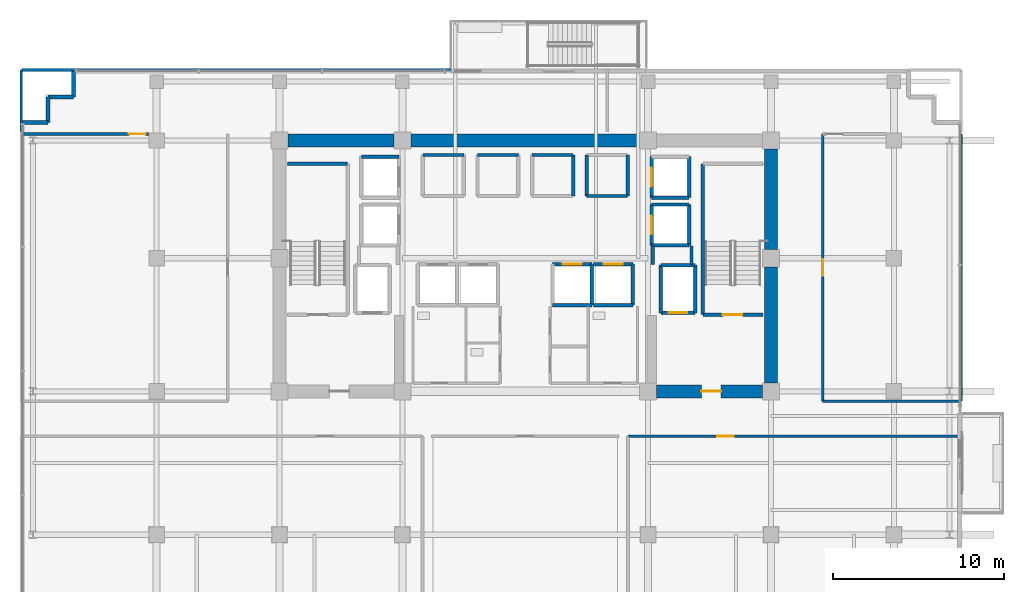
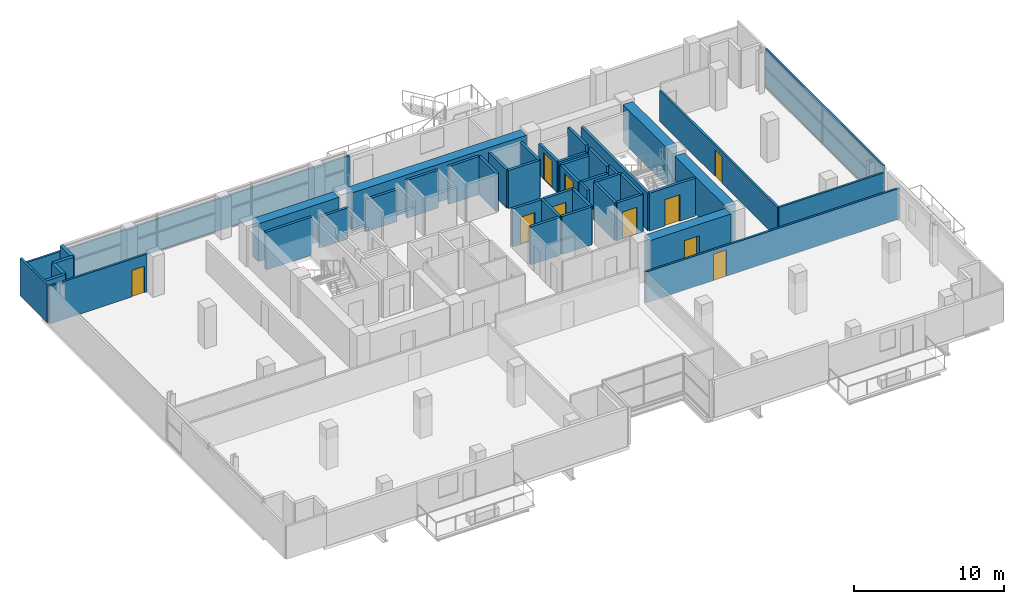
# One storey, part 21 of 27: 46 walls, 10 doors, 10 openings.
"""IFC4 building model written with IfcOpenShell, lengths in metres."""

import ifcopenshell
import ifcopenshell.guid

model = None  # the IFC model being written
_history = None  # IfcOwnerHistory: only IFC2X3 demands one
_inside = {}  # id of a spatial element -> (the spatial element, [elements in it])
_under = {}  # id of a project, library or spatial element -> (it, [spatial elements below it])
_declared = {}  # id of a project -> (the project, [libraries it declares])
_typed = {}  # id of a type object -> (the type object, [elements of that type])
_made_of = {}  # id of a material, layer set ... -> (it, [elements and type objects made of it])


def new_model(schema):
    """Start an empty IFC model of exactly this schema.

    Asked for "IFC4X3", IfcOpenShell would pick the latest addendum, in which some entities
    have other attributes; the version numbers below select the first issue.
    IFC2X3 requires an IfcOwnerHistory on every rooted entity: one is made here for all.
    """
    global model, _history
    if schema == "IFC4X3":
        model = ifcopenshell.file(schema_version=(4, 3, 0, 0))
    else:
        model = ifcopenshell.file(schema=schema)
    _inside.clear()
    _under.clear()
    _declared.clear()
    _typed.clear()
    _made_of.clear()
    _history = None
    if model.schema == "IFC2X3":
        org = make("IfcOrganization", Name="unknown")
        user = make(
            "IfcPersonAndOrganization",
            ThePerson=make("IfcPerson", FamilyName="unknown"),
            TheOrganization=org,
        )
        app = make(
            "IfcApplication",
            ApplicationDeveloper=org,
            Version="unknown",
            ApplicationFullName="unknown",
            ApplicationIdentifier="unknown",
        )
        _history = make(
            "IfcOwnerHistory",
            OwningUser=user,
            OwningApplication=app,
            ChangeAction="ADDED",
            CreationDate=0,
        )
    return model


def make(cls, **values):
    """One entity of the class cls with the attributes given. An attribute that is None is left unset."""
    return model.create_entity(
        cls, **{name: value for name, value in values.items() if value is not None}
    )


def rooted(cls, **values):
    """An entity with a GlobalId (a new one), such as an element, a storey or a relation."""
    return make(cls, GlobalId=ifcopenshell.guid.new(), OwnerHistory=_history, **values)


def si_unit(unit_type, name, prefix=None):
    """IfcSIUnit, for example si_unit("LENGTHUNIT", "METRE", prefix="MILLI")."""
    return make("IfcSIUnit", UnitType=unit_type, Prefix=prefix, Name=name)


def assignment(units):
    """IfcUnitAssignment: the units of a project."""
    return None if units is None else make("IfcUnitAssignment", Units=units)


def point(xyz):
    """IfcCartesianPoint."""
    return None if xyz is None else make("IfcCartesianPoint", Coordinates=xyz)


def direction(xyz):
    """IfcDirection."""
    return None if xyz is None else make("IfcDirection", DirectionRatios=xyz)


def frame(location, z_axis=None, x_axis=None):
    """IfcAxis2Placement3D, a coordinate frame: its origin and axes. An axis left out is left unset."""
    return make(
        "IfcAxis2Placement3D",
        Location=point(location),
        Axis=direction(z_axis),
        RefDirection=direction(x_axis),
    )


def frame_2d(location, x_axis=None):
    """IfcAxis2Placement2D, a coordinate frame in the plane: its origin and x axis."""
    return make(
        "IfcAxis2Placement2D", Location=point(location), RefDirection=direction(x_axis)
    )


def origin():
    """The frame at (0, 0, 0) with its axes left unset."""
    return frame((0.0, 0.0, 0.0))


def place(relative_to, where):
    """IfcLocalPlacement: puts the frame where relative to a parent placement (None: the world)."""
    return make(
        "IfcLocalPlacement", PlacementRelTo=relative_to, RelativePlacement=where
    )


def context(
    kind, dimensions, precision=None, world=None, true_north=None, identifier=None
):
    """IfcGeometricRepresentationContext, for example the 3D "Model" context."""
    return make(
        "IfcGeometricRepresentationContext",
        ContextIdentifier=identifier,
        ContextType=kind,
        CoordinateSpaceDimension=dimensions,
        Precision=precision,
        WorldCoordinateSystem=world,
        TrueNorth=true_north,
    )


def subcontext(parent, identifier, kind, view, scale=None):
    """IfcGeometricRepresentationSubContext, for example "Body" below "Model"."""
    return make(
        "IfcGeometricRepresentationSubContext",
        ContextIdentifier=identifier,
        ContextType=kind,
        ParentContext=parent,
        TargetScale=scale,
        TargetView=view,
    )


def project(units=None, contexts=None):
    """IfcProject with its units and contexts."""
    return rooted(
        "IfcProject",
        Name="project",
        RepresentationContexts=contexts,
        UnitsInContext=assignment(units),
    )


def spatial(cls, under=None, at=None, **own):
    """A site, building, storey or space (cls), placed at a placement, below another one or the project."""
    s = rooted(cls, ObjectPlacement=at, **own)
    if under is not None:
        _under.setdefault(under.id(), (under, []))[1].append(s)
    return s


def profile(cls, at=None, kind="AREA", **sizes):
    """A parametric profile (cls). Its sizes go by their IFC names, for example OverallWidth=200.0."""
    return make(cls, ProfileType=kind, Position=at, **sizes)


def rectangle(**sizes):
    """IfcRectangleProfileDef."""
    return profile("IfcRectangleProfileDef", **sizes)


def extrude(swept, where, along, depth):
    """IfcExtrudedAreaSolid: the profile swept, set in the frame where, extruded along a direction by depth."""
    return make(
        "IfcExtrudedAreaSolid",
        SweptArea=swept,
        Position=where,
        ExtrudedDirection=direction(along),
        Depth=depth,
    )


def shape(context_of_items, identifier, shape_type, items):
    """IfcShapeRepresentation: the items that make up one representation, for example the "Body"."""
    return make(
        "IfcShapeRepresentation",
        ContextOfItems=context_of_items,
        RepresentationIdentifier=identifier,
        RepresentationType=shape_type,
        Items=items,
    )


def source(mapping_origin, context_of_items, identifier, shape_type, items):
    """IfcRepresentationMap: a shape defined once, which mapped items show again and again."""
    return make(
        "IfcRepresentationMap",
        MappingOrigin=mapping_origin,
        MappedRepresentation=shape(context_of_items, identifier, shape_type, items),
    )


def transform(
    local_origin,
    x_axis=None,
    y_axis=None,
    z_axis=None,
    scale=None,
    scale2=None,
    scale3=None,
    uniform=True,
):
    """IfcCartesianTransformationOperator3D, or its non-uniform kind. x_axis, y_axis, z_axis: its Axis1, 2, 3."""
    if uniform:
        return make(
            "IfcCartesianTransformationOperator3D",
            Axis1=direction(x_axis),
            Axis2=direction(y_axis),
            LocalOrigin=point(local_origin),
            Scale=scale,
            Axis3=direction(z_axis),
        )
    return make(
        "IfcCartesianTransformationOperator3DnonUniform",
        Axis1=direction(x_axis),
        Axis2=direction(y_axis),
        LocalOrigin=point(local_origin),
        Scale=scale,
        Axis3=direction(z_axis),
        Scale2=scale2,
        Scale3=scale3,
    )


def mapped(mapping_source, mapping_target):
    """IfcMappedItem: shows the shape of a source again, moved by a transform."""
    return make(
        "IfcMappedItem", MappingSource=mapping_source, MappingTarget=mapping_target
    )


def material(Name=None, Category=None):
    """IfcMaterial."""
    return make("IfcMaterial", Name=Name, Category=Category)


def layer(
    of_material, thickness, ventilated=None, Name=None, Category=None, Priority=None
):
    """IfcMaterialLayer: one layer of a wall or slab, of a material (None: an air gap)."""
    return make(
        "IfcMaterialLayer",
        Material=of_material,
        LayerThickness=thickness,
        IsVentilated=ventilated,
        Name=Name,
        Category=Category,
        Priority=Priority,
    )


def layer_set(layers, Name=None):
    """IfcMaterialLayerSet."""
    return make("IfcMaterialLayerSet", MaterialLayers=layers, LayerSetName=Name)


def made_of(thing, what):
    """Note that an element or type object is made of a material, layer set ...; save() writes the relation."""
    if what is not None:
        _made_of.setdefault(what.id(), (what, []))[1].append(thing)
    return thing


def type_object(cls, material=None, **own):
    """A type object (cls), such as IfcWallType, which elements share."""
    return made_of(rooted(cls, **own), material)


def element(
    cls,
    number,
    at=None,
    inside=None,
    cuts=None,
    type_object=None,
    material=None,
    context=None,
    identifier="Body",
    shape_type=None,
    held_by="IfcProductDefinitionShape",
    body=None,
    shapes=None,
    **own,
):
    """One element of the class cls, such as IfcWall. Its Tag is "e" and its number.

    at: its placement. inside: the storey or other place that contains it. cuts: it is an
    opening in that element (IfcRelVoidsElement). A single representation is given by context,
    identifier, shape_type and body (its items); several are given by shapes. held_by: the class
    of the entity that holds the representations. save() writes the other relations.
    """
    e = rooted(cls, Tag="e%d" % number, ObjectPlacement=at, **own)
    if body is not None:
        shapes = [shape(context, identifier, shape_type, body)]
    if shapes is not None:
        e.Representation = make(held_by, Representations=shapes)
    if inside is not None:
        _inside.setdefault(inside.id(), (inside, []))[1].append(e)
    if cuts is not None:
        rooted(
            "IfcRelVoidsElement", RelatingBuildingElement=cuts, RelatedOpeningElement=e
        )
    if type_object is not None:
        _typed.setdefault(type_object.id(), (type_object, []))[1].append(e)
    return made_of(e, material)


def fill(opening, filler):
    """IfcRelFillsElement: the door or window that sits in an opening."""
    return rooted(
        "IfcRelFillsElement",
        RelatingOpeningElement=opening,
        RelatedBuildingElement=filler,
    )


def aggregate(whole, parts):
    """IfcRelAggregates: a whole, such as a stair, and the parts it consists of."""
    return rooted("IfcRelAggregates", RelatingObject=whole, RelatedObjects=parts)


def save(model, path):
    """Write the relations noted so far, then the file.

    IfcRelAggregates (storeys below a building ...), IfcRelContainedInSpatialStructure (elements
    in a storey), IfcRelDefinesByType, IfcRelAssociatesMaterial and IfcRelDeclares: one each for
    every whole, place, type object, material and project.
    """
    for whole, parts in _under.values():
        aggregate(whole, parts)
    for where, things in _inside.values():
        rooted(
            "IfcRelContainedInSpatialStructure",
            RelatedElements=things,
            RelatingStructure=where,
        )
    for kind, things in _typed.values():
        rooted("IfcRelDefinesByType", RelatedObjects=things, RelatingType=kind)
    for what, things in _made_of.values():
        rooted("IfcRelAssociatesMaterial", RelatedObjects=things, RelatingMaterial=what)
    for by, libraries in _declared.values():
        rooted("IfcRelDeclares", RelatingContext=by, RelatedDefinitions=libraries)
    model.write(path)


model = new_model("IFC4")

# Units and contexts
model_context = context("Model", 3, precision=1e-05, world=origin(), true_north=direction((0.0, 1.0)))
body_context = subcontext(model_context, "Body", "Model", "MODEL_VIEW")
ifc_project = project(units=[si_unit("LENGTHUNIT", "METRE"), si_unit("AREAUNIT", "SQUARE_METRE"), si_unit("VOLUMEUNIT", "CUBIC_METRE"), si_unit("PLANEANGLEUNIT", "RADIAN"), si_unit("MASSUNIT", "GRAM", prefix="KILO")], contexts=[model_context])

# Site, building, storey
site_placement = place(None, origin())
site = spatial("IfcSite", under=ifc_project, at=site_placement, CompositionType="ELEMENT")
building_placement = place(site_placement, origin())
building = spatial("IfcBuilding", under=site, at=building_placement, Name="Zarnakvel Exchange Tower", CompositionType="ELEMENT")
storey_placement = place(building_placement, frame((0.0, 0.0, 86.800048828125)))
storey = spatial("IfcBuildingStorey", under=building, at=storey_placement, Name="L23", CompositionType="ELEMENT", Elevation=86.800048828125)

# Walls
ifc_material_1 = material(Name="Concrete C60/75", Category="concrete")
ifc_layer_1 = layer(ifc_material_1, 0.75)
ifc_layer_set_1 = layer_set([ifc_layer_1], Name="Concrete C60/75")
wall_type_1 = type_object("IfcWallType", Name="CW-C3", PredefinedType="SHEAR", material=ifc_layer_set_1)
wall_1_placement = place(storey_placement, frame((-13.89990234375, 13.5, 0.0), z_axis=(0.0, 0.0, 1.0), x_axis=(1.0, 0.0, 0.0)))
element("IfcWall", 1, at=wall_1_placement, inside=storey, type_object=wall_type_1, Name="L23 Rear Core Shear Wall N1 (CW-C3)", PredefinedType="SHEAR", context=body_context, shape_type="SweptSolid", body=[
    extrude(rectangle(XDim=6.199951171875, YDim=0.75, at=frame_2d((3.10009765625, 0.0))), origin(), (0.0, 0.0, 1.0), 3.074951171875),
])
wall_2_placement = place(storey_placement, frame((-6.699951171875, 13.5, 0.0), z_axis=(0.0, 0.0, 1.0), x_axis=(1.0, 0.0, 0.0)))
element("IfcWall", 2, at=wall_2_placement, inside=storey, type_object=wall_type_1, Name="L23 Rear Core Shear Wall N2 (CW-C3)", PredefinedType="SHEAR", context=body_context, shape_type="SweptSolid", body=[
    extrude(rectangle(XDim=13.39990234375, YDim=0.75, at=frame_2d((6.699951171875, 0.0))), origin(), (0.0, 0.0, 1.0), 3.074951171875),
])
wall_3_placement = place(storey_placement, frame((14.39990234375, -0.699951171875, 0.0), z_axis=(0.0, 0.0, 1.0), x_axis=(0.0, 1.0, 0.0)))
element("IfcWall", 3, at=wall_3_placement, inside=storey, type_object=wall_type_1, Name="L23 Rear Core Shear Wall E1 (CW-C3)", PredefinedType="SHEAR", context=body_context, shape_type="SweptSolid", body=[
    extrude(rectangle(XDim=6.800048828125, YDim=0.75, at=frame_2d((3.39990234375, 0.0))), origin(), (0.0, 0.0, 1.0), 3.074951171875),
])
wall_4_placement = place(storey_placement, frame((14.39990234375, 7.10009765625, 0.0), z_axis=(0.0, 0.0, 1.0), x_axis=(0.0, 1.0, 0.0)))
element("IfcWall", 4, at=wall_4_placement, inside=storey, type_object=wall_type_1, Name="L23 Rear Core Shear Wall E2 (CW-C3)", PredefinedType="SHEAR", context=body_context, shape_type="SweptSolid", body=[
    extrude(rectangle(XDim=5.89990234375, YDim=0.75, at=frame_2d((2.949951171875, 0.0))), origin(), (0.0, 0.0, 1.0), 3.074951171875),
])

# Wall, opening, door
wall_5_placement = place(storey_placement, frame((13.89990234375, -1.199951171875, 0.0), z_axis=(0.0, 0.0, 1.0), x_axis=(-1.0, 0.0, 0.0)))
wall_5 = element("IfcWall", 5, at=wall_5_placement, inside=storey, type_object=wall_type_1, Name="L23 Rear Core Shear Wall SE (CW-C3)", PredefinedType="SHEAR", context=body_context, shape_type="SweptSolid", body=[
    extrude(rectangle(XDim=6.199951171875, YDim=0.75, at=frame_2d((3.10009765625, 0.0))), origin(), (0.0, 0.0, 1.0), 3.074951171875),
])
opening_1_placement = place(wall_5_placement, frame((2.425048828125, 0.0, 0.0)))
opening_1 = element("IfcOpeningElement", 6, at=opening_1_placement, cuts=wall_5, Name="Opening D-L23-04", PredefinedType="OPENING", context=body_context, shape_type="SweptSolid", body=[
    extrude(rectangle(XDim=1.14990234375, YDim=2.14990234375, at=frame_2d((0.574951171875, 1.074951171875))), frame((0.0, 0.385009765625, 0.0), z_axis=(0.0, -1.0, 0.0), x_axis=(1.0, 0.0, 0.0)), (0.0, 0.0, 1.0), 0.77001953125),
])
ifc_material_2 = material(Name="Painted Galvanised Steel S355", Category="steel")
door_type_1 = type_object("IfcDoorType", Name="DT-04", OperationType="NOTDEFINED", PredefinedType="DOOR", material=ifc_material_2)
shared_shape_1 = source(origin(), body_context, "Body", "SweptSolid", [
    extrude(rectangle(XDim=1.14990234375, YDim=2.14990234375, at=frame_2d((0.574951171875, 1.074951171875))), frame((0.0, 0.02490234375, 0.0), z_axis=(0.0, -1.0, 0.0), x_axis=(1.0, 0.0, 0.0)), (0.0, 0.0, 1.0), 0.050048828125),
])
door_1_placement = place(opening_1_placement, origin())
door_1 = element("IfcDoor", 7, at=door_1_placement, inside=storey, type_object=door_type_1, Name="L23 Firefighting Lobby East Door D-L23-04", OperationType="SINGLE_SWING_LEFT", OverallHeight=2.14990234375, OverallWidth=1.14990234375, PredefinedType="DOOR", context=body_context, shape_type="MappedRepresentation", body=[
    mapped(shared_shape_1, transform((0.0, 0.0, 0.0), x_axis=(1.0, 0.0, 0.0), y_axis=(0.0, 1.0, 0.0), z_axis=(0.0, 0.0, 1.0), scale=1.0)),
])
fill(opening_1, door_1)

# Walls
ifc_material_3 = material(Name="Precast concrete C40/50", Category="concrete")
ifc_layer_2 = layer(ifc_material_3, 0.239990234375)
ifc_layer_set_2 = layer_set([ifc_layer_2], Name="Precast concrete C40/50")
wall_type_2 = type_object("IfcWallType", Name="EW-02", PredefinedType="SOLIDWALL", material=ifc_layer_set_2)
for number, where, z_axis, x_axis, name in (
    (8, (-27.9599609375, 14.56005859375, 0.0), (0.0, 0.0, 1.0), (-1.0, 0.0, 0.0), "L23 Exterior Precast Spandrel Wall EWC-L23-01 (EW-02)"),
    (9, (-27.9599609375, 16.06005859375, 0.0), (0.0, 0.0, 1.0), (0.0, -1.0, 0.0), "L23 Exterior Precast Spandrel Wall EWC-L23-02 (EW-02)"),
    (10, (-26.4599609375, 16.06005859375, 0.0), (0.0, 0.0, 1.0), (-1.0, 0.0, 0.0), "L23 Exterior Precast Spandrel Wall EWC-L23-03 (EW-02)"),
    (11, (-26.4599609375, 17.56005859375, 0.0), (0.0, 0.0, 1.0), (0.0, -1.0, 0.0), "L23 Exterior Precast Spandrel Wall EWC-L23-04 (EW-02)"),
):
    element("IfcWall", number, at=place(storey_placement, frame(where, z_axis=z_axis, x_axis=x_axis)), inside=storey, type_object=wall_type_2, Name=name, PredefinedType="SOLIDWALL", context=body_context, shape_type="SweptSolid", body=[
        extrude(rectangle(XDim=1.5, YDim=0.239990234375, at=frame_2d((0.75, 0.0))), origin(), (0.0, 0.0, 1.0), 3.074951171875),
    ])

# Wall, opening, door
ifc_material_4 = material(Name="Fire-Rated Gypsum Stud Partition", Category="gypsum")
ifc_layer_3 = layer(ifc_material_4, 0.14990234375)
ifc_layer_set_3 = layer_set([ifc_layer_3], Name="Fire-Rated Gypsum Stud Partition")
wall_type_3 = type_object("IfcWallType", Name="PT-01", PredefinedType="PARTITIONING", material=ifc_layer_set_3)
wall_6_placement = place(storey_placement, frame((6.02001953125, -3.830078125, 0.0), z_axis=(0.0, 0.0, 1.0), x_axis=(1.0, 0.0, 0.0)))
wall_6 = element("IfcWall", 12, at=wall_6_placement, inside=storey, type_object=wall_type_3, Name="L23 Partition Wall PWALL-L23-031 (PT-01)", PredefinedType="PARTITIONING", context=body_context, shape_type="SweptSolid", body=[
    extrude(rectangle(XDim=19.510009765625, YDim=0.14990234375, at=frame_2d((9.7548828125, 0.0))), origin(), (0.0, 0.0, 1.0), 2.514892578125),
])
opening_2_placement = place(wall_6_placement, frame((5.215087890625, 0.0, 0.0)))
opening_2 = element("IfcOpeningElement", 13, at=opening_2_placement, cuts=wall_6, Name="Opening D-L23-12", PredefinedType="OPENING", context=body_context, shape_type="SweptSolid", body=[
    extrude(rectangle(XDim=0.97998046875, YDim=2.14990234375, at=frame_2d((0.489990234375, 1.074951171875))), frame((0.0, 0.0849609375, 0.0), z_axis=(0.0, -1.0, 0.0), x_axis=(1.0, 0.0, 0.0)), (0.0, 0.0, 1.0), 0.169921875),
])
ifc_material_5 = material(Name="Timber Acoustic Veneer", Category="wood")
door_type_2 = type_object("IfcDoorType", Name="DT-05", OperationType="NOTDEFINED", PredefinedType="DOOR", material=ifc_material_5)
shared_shape_2 = source(origin(), body_context, "Body", "SweptSolid", [
    extrude(rectangle(XDim=0.97998046875, YDim=2.14990234375, at=frame_2d((0.489990234375, 1.074951171875))), frame((0.0, 0.02490234375, 0.0), z_axis=(0.0, -1.0, 0.0), x_axis=(1.0, 0.0, 0.0)), (0.0, 0.0, 1.0), 0.050048828125),
])
door_2_placement = place(opening_2_placement, origin())
door_2 = element("IfcDoor", 14, at=door_2_placement, inside=storey, type_object=door_type_2, Name="L23 Executive Conference Room Door D-L23-12", OperationType="SINGLE_SWING_LEFT", OverallHeight=2.14990234375, OverallWidth=0.97998046875, PredefinedType="DOOR", context=body_context, shape_type="MappedRepresentation", body=[
    mapped(shared_shape_2, transform((0.0, 0.0, 0.0), x_axis=(1.0, 0.0, 0.0), y_axis=(0.0, 1.0, 0.0), z_axis=(0.0, 0.0, 1.0), scale=1.0)),
])
fill(opening_2, door_2)

wall_7_placement = place(storey_placement, frame((-29.530029296875, 13.8798828125, 0.0), z_axis=(0.0, 0.0, 1.0), x_axis=(1.0, 0.0, 0.0)))
wall_7 = element("IfcWall", 15, at=wall_7_placement, inside=storey, type_object=wall_type_3, Name="L23 Partition Wall PWALL-L23-037 (PT-01)", PredefinedType="PARTITIONING", context=body_context, shape_type="SweptSolid", body=[
    extrude(rectangle(XDim=7.4599609375, YDim=0.14990234375, at=frame_2d((3.72998046875, 0.0))), origin(), (0.0, 0.0, 1.0), 3.074951171875),
])
opening_3_placement = place(wall_7_placement, frame((6.300048828125, 0.0, 0.0)))
opening_3 = element("IfcOpeningElement", 16, at=opening_3_placement, cuts=wall_7, Name="Opening D-L23-16", PredefinedType="OPENING", context=body_context, shape_type="SweptSolid", body=[
    extrude(rectangle(XDim=0.97998046875, YDim=2.14990234375, at=frame_2d((0.489990234375, 1.074951171875))), frame((0.0, 0.0849609375, 0.0), z_axis=(0.0, -1.0, 0.0), x_axis=(1.0, 0.0, 0.0)), (0.0, 0.0, 1.0), 0.169921875),
])
door_3_placement = place(opening_3_placement, origin())
door_3 = element("IfcDoor", 17, at=door_3_placement, inside=storey, type_object=door_type_2, Name="L23 Briefing Room Door D-L23-16", OperationType="SINGLE_SWING_LEFT", OverallHeight=2.14990234375, OverallWidth=0.97998046875, PredefinedType="DOOR", context=body_context, shape_type="MappedRepresentation", body=[
    mapped(shared_shape_2, transform((0.0, 0.0, 0.0), x_axis=(1.0, 0.0, 0.0), y_axis=(0.0, 1.0, 0.0), z_axis=(0.0, 0.0, 1.0), scale=1.0)),
])
fill(opening_3, door_3)

# Wall
wall_8_placement = place(storey_placement, frame((25.530029296875, -1.77001953125, 0.0), z_axis=(0.0, 0.0, 1.0), x_axis=(-1.0, 0.0, 0.0)))
element("IfcWall", 18, at=wall_8_placement, inside=storey, type_object=wall_type_3, Name="L23 Partition Wall PWALL-L23-040 (PT-01)", PredefinedType="PARTITIONING", context=body_context, shape_type="SweptSolid", body=[
    extrude(rectangle(XDim=8.10009765625, YDim=0.14990234375, at=frame_2d((4.050048828125, 0.0))), origin(), (0.0, 0.0, 1.0), 2.514892578125),
])

# Wall, opening, door
wall_9_placement = place(storey_placement, frame((17.429931640625, -1.77001953125, 0.0), z_axis=(0.0, 0.0, 1.0), x_axis=(0.0, 1.0, 0.0)))
wall_9 = element("IfcWall", 19, at=wall_9_placement, inside=storey, type_object=wall_type_3, Name="L23 Partition Wall PWALL-L23-042 (PT-01)", PredefinedType="PARTITIONING", context=body_context, shape_type="SweptSolid", body=[
    extrude(rectangle(XDim=15.64990234375, YDim=0.14990234375, at=frame_2d((7.824951171875, 0.0))), origin(), (0.0, 0.0, 1.0), 2.514892578125),
])
opening_4_placement = place(wall_9_placement, frame((7.3349609375, 0.0, 0.0)))
opening_4 = element("IfcOpeningElement", 20, at=opening_4_placement, cuts=wall_9, Name="Opening D-L23-15", PredefinedType="OPENING", context=body_context, shape_type="SweptSolid", body=[
    extrude(rectangle(XDim=0.97998046875, YDim=2.14990234375, at=frame_2d((0.489990234375, 1.074951171875))), frame((0.0, 0.0849609375, 0.0), z_axis=(0.0, -1.0, 0.0), x_axis=(1.0, 0.0, 0.0)), (0.0, 0.0, 1.0), 0.169921875),
])
door_4_placement = place(opening_4_placement, origin())
door_4 = element("IfcDoor", 21, at=door_4_placement, inside=storey, type_object=door_type_2, Name="L23 Refreshment Pantry Door D-L23-15", OperationType="SINGLE_SWING_RIGHT", OverallHeight=2.14990234375, OverallWidth=0.97998046875, PredefinedType="DOOR", context=body_context, shape_type="MappedRepresentation", body=[
    mapped(shared_shape_2, transform((0.0, 0.0, 0.0), x_axis=(1.0, 0.0, 0.0), y_axis=(0.0, 1.0, 0.0), z_axis=(0.0, 0.0, 1.0), scale=1.0)),
])
fill(opening_4, door_4)

# Walls
wall_10_placement = place(storey_placement, frame((25.530029296875, 13.8798828125, 0.0), z_axis=(0.0, 0.0, 1.0), x_axis=(0.0, -1.0, 0.0)))
element("IfcWall", 22, at=wall_10_placement, inside=storey, type_object=wall_type_3, Name="L23 Partition Wall PWALL-L23-043 (PT-01)", PredefinedType="PARTITIONING", context=body_context, shape_type="SweptSolid", body=[
    extrude(rectangle(XDim=15.64990234375, YDim=0.14990234375, at=frame_2d((7.824951171875, 0.0))), origin(), (0.0, 0.0, 1.0), 3.074951171875),
])
wall_11_placement = place(storey_placement, frame((-29.530029296875, 17.6298828125, 0.0), z_axis=(0.0, 0.0, 1.0), x_axis=(1.0, 0.0, 0.0)))
element("IfcWall", 23, at=wall_11_placement, inside=storey, type_object=wall_type_3, Name="L23 Partition Wall PWALL-L23-044 (PT-01)", PredefinedType="PARTITIONING", context=body_context, shape_type="SweptSolid", body=[
    extrude(rectangle(XDim=25.179931640625, YDim=0.14990234375, at=frame_2d((12.58984375, 0.0))), origin(), (0.0, 0.0, 1.0), 2.58984375),
])
wall_12_placement = place(storey_placement, frame((-29.530029296875, 14.030029296875, 0.0), z_axis=(0.0, 0.0, 1.0), x_axis=(0.0, 1.0, 0.0)))
element("IfcWall", 24, at=wall_12_placement, inside=storey, type_object=wall_type_3, Name="L23 Partition Wall PWALL-L23-045 (PT-01)", PredefinedType="PARTITIONING", context=body_context, shape_type="SweptSolid", body=[
    extrude(rectangle(XDim=3.599853515625, YDim=0.14990234375, at=frame_2d((1.7998046875, 0.0))), origin(), (0.0, 0.0, 1.0), 3.074951171875),
])
ifc_layer_4 = layer(ifc_material_4, 0.179931640625)
ifc_layer_set_4 = layer_set([ifc_layer_4], Name="Fire-Rated Gypsum Stud Partition")
wall_type_4 = type_object("IfcWallType", Name="PT-02", PredefinedType="PARTITIONING", material=ifc_layer_set_4)
wall_13_placement = place(storey_placement, frame((7.469970703125, 6.239990234375, 0.0), z_axis=(0.0, 0.0, 1.0), x_axis=(0.0, 1.0, 0.0)))
element("IfcWall", 25, at=wall_13_placement, inside=storey, type_object=wall_type_4, Name="L23 Partition Wall PWALL-L23-009 (PT-02)", PredefinedType="PARTITIONING", context=body_context, shape_type="SweptSolid", body=[
    extrude(rectangle(XDim=1.090087890625, YDim=0.179931640625, at=frame_2d((0.544921875, 0.0))), origin(), (0.0, 0.0, 1.0), 2.514892578125),
])
wall_14_placement = place(storey_placement, frame((9.72998046875, 7.330078125, 0.0), z_axis=(0.0, 0.0, 1.0), x_axis=(0.0, -1.0, 0.0)))
element("IfcWall", 26, at=wall_14_placement, inside=storey, type_object=wall_type_4, Name="L23 Partition Wall PWALL-L23-010 (PT-02)", PredefinedType="PARTITIONING", context=body_context, shape_type="SweptSolid", body=[
    extrude(rectangle(XDim=1.090087890625, YDim=0.179931640625, at=frame_2d((0.544921875, 0.0))), origin(), (0.0, 0.0, 1.0), 3.074951171875),
])

# Wall, opening, door
ifc_material_6 = material(Name="Concrete C40/50", Category="concrete")
ifc_layer_5 = layer(ifc_material_6, 0.199951171875)
ifc_layer_set_5 = layer_set([ifc_layer_5], Name="Concrete C40/50")
wall_type_5 = type_object("IfcWallType", Name="SW-01", PredefinedType="SOLIDWALL", material=ifc_layer_set_5)
wall_15_placement = place(storey_placement, frame((9.949951171875, 3.39990234375, 0.0), z_axis=(0.0, 0.0, 1.0), x_axis=(-1.0, 0.0, 0.0)))
wall_15 = element("IfcWall", 27, at=wall_15_placement, inside=storey, type_object=wall_type_5, Name="L23 FL-02 Hoistway Wall South", PredefinedType="SOLIDWALL", context=body_context, shape_type="SweptSolid", body=[
    extrude(rectangle(XDim=2.0, YDim=0.199951171875, at=frame_2d((1.0, 0.0))), origin(), (0.0, 0.0, 1.0), 3.074951171875),
])
opening_5_placement = place(wall_15_placement, frame((0.449951171875, 0.0, 0.0)))
opening_5 = element("IfcOpeningElement", 28, at=opening_5_placement, cuts=wall_15, Name="Opening LD-FL-02-L23", PredefinedType="OPENING", context=body_context, shape_type="SweptSolid", body=[
    extrude(rectangle(XDim=1.10009765625, YDim=2.199951171875, at=frame_2d((0.550048828125, 1.10009765625))), frame((0.0, 0.10986328125, 0.0), z_axis=(0.0, -1.0, 0.0), x_axis=(1.0, 0.0, 0.0)), (0.0, 0.0, 1.0), 0.219970703125),
])
ifc_material_7 = material(Name="Brushed Stainless Steel", Category="steel")
door_type_3 = type_object("IfcDoorType", Name="LDT-01", OperationType="NOTDEFINED", PredefinedType="DOOR", material=ifc_material_7)
shared_shape_3 = source(origin(), body_context, "Body", "SweptSolid", [
    extrude(rectangle(XDim=1.10009765625, YDim=2.199951171875, at=frame_2d((0.550048828125, 1.10009765625))), frame((0.0, 0.02490234375, 0.0), z_axis=(0.0, -1.0, 0.0), x_axis=(1.0, 0.0, 0.0)), (0.0, 0.0, 1.0), 0.050048828125),
])
door_5_placement = place(opening_5_placement, origin())
door_5 = element("IfcDoor", 29, at=door_5_placement, inside=storey, type_object=door_type_3, Name="L23 FL-02 Lift Landing Door LD-FL-02-L23", OperationType="DOUBLE_DOOR_SLIDING", OverallHeight=2.199951171875, OverallWidth=1.10009765625, PredefinedType="DOOR", context=body_context, shape_type="MappedRepresentation", body=[
    mapped(shared_shape_3, transform((0.0, 0.0, 0.0), x_axis=(1.0, 0.0, 0.0), y_axis=(0.0, 1.0, 0.0), z_axis=(0.0, 0.0, 1.0), scale=1.0)),
])
fill(opening_5, door_5)

# Walls
wall_16_placement = place(storey_placement, frame((7.949951171875, 6.199951171875, 0.0), z_axis=(0.0, 0.0, 1.0), x_axis=(1.0, 0.0, 0.0)))
element("IfcWall", 30, at=wall_16_placement, inside=storey, type_object=wall_type_5, Name="L23 FL-02 Hoistway Wall North", PredefinedType="SOLIDWALL", context=body_context, shape_type="SweptSolid", body=[
    extrude(rectangle(XDim=2.0, YDim=0.199951171875, at=frame_2d((1.0, 0.0))), origin(), (0.0, 0.0, 1.0), 3.074951171875),
])
for number, where, z_axis, x_axis, name in (
    (31, (7.949951171875, 3.39990234375, 0.0), (0.0, 0.0, 1.0), (0.0, 1.0, 0.0), "L23 FL-02 Hoistway Wall West"),
    (32, (9.949951171875, 6.199951171875, 0.0), (0.0, 0.0, 1.0), (0.0, -1.0, 0.0), "L23 FL-02 Hoistway Wall East"),
):
    element("IfcWall", number, at=place(storey_placement, frame(where, z_axis=z_axis, x_axis=x_axis)), inside=storey, type_object=wall_type_5, Name=name, PredefinedType="SOLIDWALL", context=body_context, shape_type="SweptSolid", body=[
        extrude(rectangle(XDim=2.800048828125, YDim=0.199951171875, at=frame_2d((1.39990234375, 0.0))), origin(), (0.0, 0.0, 1.0), 3.074951171875),
    ])
wall_17_placement = place(storey_placement, frame((-6.0, 12.64990234375, 0.0), z_axis=(0.0, 0.0, 1.0), x_axis=(1.0, 0.0, 0.0)))
element("IfcWall", 33, at=wall_17_placement, inside=storey, type_object=wall_type_5, Name="L23 PL-01 Hoistway Wall North", PredefinedType="SOLIDWALL", context=body_context, shape_type="SweptSolid", body=[
    extrude(rectangle(XDim=2.39990234375, YDim=0.199951171875, at=frame_2d((1.199951171875, 0.0))), origin(), (0.0, 0.0, 1.0), 2.58984375),
])
for number, where, z_axis, x_axis, name in (
    (34, (-2.800048828125, 12.64990234375, 0.0), (0.0, 0.0, 1.0), (1.0, 0.0, 0.0), "L23 PL-02 Hoistway Wall North"),
    (35, (0.39990234375, 12.64990234375, 0.0), (0.0, 0.0, 1.0), (1.0, 0.0, 0.0), "L23 PL-03 Hoistway Wall North"),
):
    element("IfcWall", number, at=place(storey_placement, frame(where, z_axis=z_axis, x_axis=x_axis)), inside=storey, type_object=wall_type_5, Name=name, PredefinedType="SOLIDWALL", context=body_context, shape_type="SweptSolid", body=[
        extrude(rectangle(XDim=2.400146484375, YDim=0.199951171875, at=frame_2d((1.2001953125, 0.0))), origin(), (0.0, 0.0, 1.0), 3.074951171875),
    ])
for number, where, z_axis, x_axis, name in (
    (36, (2.800048828125, 12.64990234375, 0.0), (0.0, 0.0, 1.0), (0.0, -1.0, 0.0), "L23 PL-03 Hoistway Wall East"),
    (37, (6.0, 10.25, 0.0), (0.0, 0.0, 1.0), (-1.0, 0.0, 0.0), "L23 PL-04 Hoistway Wall South"),
    (38, (3.60009765625, 10.25, 0.0), (0.0, 0.0, 1.0), (0.0, 1.0, 0.0), "L23 PL-04 Hoistway Wall West"),
    (39, (6.0, 12.64990234375, 0.0), (0.0, 0.0, 1.0), (0.0, -1.0, 0.0), "L23 PL-04 Hoistway Wall East"),
):
    element("IfcWall", number, at=place(storey_placement, frame(where, z_axis=z_axis, x_axis=x_axis)), inside=storey, type_object=wall_type_5, Name=name, PredefinedType="SOLIDWALL", context=body_context, shape_type="SweptSolid", body=[
        extrude(rectangle(XDim=2.39990234375, YDim=0.199951171875, at=frame_2d((1.199951171875, 0.0))), origin(), (0.0, 0.0, 1.0), 3.074951171875),
    ])
wall_18_placement = place(storey_placement, frame((3.89990234375, 3.85009765625, 0.0), z_axis=(0.0, 0.0, 1.0), x_axis=(-1.0, 0.0, 0.0)))
element("IfcWall", 40, at=wall_18_placement, inside=storey, type_object=wall_type_5, Name="L23 PL-07 Hoistway Wall South", PredefinedType="SOLIDWALL", context=body_context, shape_type="SweptSolid", body=[
    extrude(rectangle(XDim=2.2998046875, YDim=0.199951171875, at=frame_2d((1.14990234375, 0.0))), origin(), (0.0, 0.0, 1.0), 3.074951171875),
])

# Wall, opening, door
wall_19_placement = place(storey_placement, frame((1.60009765625, 6.25, 0.0), z_axis=(0.0, 0.0, 1.0), x_axis=(1.0, 0.0, 0.0)))
wall_19 = element("IfcWall", 41, at=wall_19_placement, inside=storey, type_object=wall_type_5, Name="L23 PL-07 Hoistway Wall North", PredefinedType="SOLIDWALL", context=body_context, shape_type="SweptSolid", body=[
    extrude(rectangle(XDim=2.2998046875, YDim=0.199951171875, at=frame_2d((1.14990234375, 0.0))), origin(), (0.0, 0.0, 1.0), 3.074951171875),
])
opening_6_placement = place(wall_19_placement, frame((0.60009765625, 0.0, 0.0)))
opening_6 = element("IfcOpeningElement", 42, at=opening_6_placement, cuts=wall_19, Name="Opening LD-PL-07-L23", PredefinedType="OPENING", context=body_context, shape_type="SweptSolid", body=[
    extrude(rectangle(XDim=1.10009765625, YDim=2.199951171875, at=frame_2d((0.550048828125, 1.10009765625))), frame((0.0, 0.10986328125, 0.0), z_axis=(0.0, -1.0, 0.0), x_axis=(1.0, 0.0, 0.0)), (0.0, 0.0, 1.0), 0.219970703125),
])
ifc_material_8 = material(Name="Architectural Bronze Anodised Aluminium", Category="aluminium")
door_type_4 = type_object("IfcDoorType", Name="LDT-02", OperationType="NOTDEFINED", PredefinedType="DOOR", material=ifc_material_8)
door_6_placement = place(opening_6_placement, origin())
door_6 = element("IfcDoor", 43, at=door_6_placement, inside=storey, type_object=door_type_4, Name="L23 PL-07 Lift Landing Door LD-PL-07-L23", OperationType="DOUBLE_DOOR_SLIDING", OverallHeight=2.199951171875, OverallWidth=1.10009765625, PredefinedType="DOOR", context=body_context, shape_type="MappedRepresentation", body=[
    mapped(shared_shape_3, transform((0.0, 0.0, 0.0), x_axis=(1.0, 0.0, 0.0), y_axis=(0.0, 1.0, 0.0), z_axis=(0.0, 0.0, 1.0), scale=1.0)),
])
fill(opening_6, door_6)

# Walls
wall_20_placement = place(storey_placement, frame((3.89990234375, 6.25, 0.0), z_axis=(0.0, 0.0, 1.0), x_axis=(0.0, -1.0, 0.0)))
element("IfcWall", 44, at=wall_20_placement, inside=storey, type_object=wall_type_5, Name="L23 PL-07 Hoistway Wall East", PredefinedType="SOLIDWALL", context=body_context, shape_type="SweptSolid", body=[
    extrude(rectangle(XDim=2.39990234375, YDim=0.199951171875, at=frame_2d((1.199951171875, 0.0))), origin(), (0.0, 0.0, 1.0), 3.074951171875),
])
wall_21_placement = place(storey_placement, frame((6.300048828125, 3.85009765625, 0.0), z_axis=(0.0, 0.0, 1.0), x_axis=(-1.0, 0.0, 0.0)))
element("IfcWall", 45, at=wall_21_placement, inside=storey, type_object=wall_type_5, Name="L23 PL-08 Hoistway Wall South", PredefinedType="SOLIDWALL", context=body_context, shape_type="SweptSolid", body=[
    extrude(rectangle(XDim=2.300048828125, YDim=0.199951171875, at=frame_2d((1.14990234375, 0.0))), origin(), (0.0, 0.0, 1.0), 3.074951171875),
])

# Wall, opening, door
wall_22_placement = place(storey_placement, frame((4.0, 6.25, 0.0), z_axis=(0.0, 0.0, 1.0), x_axis=(1.0, 0.0, 0.0)))
wall_22 = element("IfcWall", 46, at=wall_22_placement, inside=storey, type_object=wall_type_5, Name="L23 PL-08 Hoistway Wall North", PredefinedType="SOLIDWALL", context=body_context, shape_type="SweptSolid", body=[
    extrude(rectangle(XDim=2.300048828125, YDim=0.199951171875, at=frame_2d((1.14990234375, 0.0))), origin(), (0.0, 0.0, 1.0), 3.074951171875),
])
opening_7_placement = place(wall_22_placement, frame((0.60009765625, 0.0, 0.0)))
opening_7 = element("IfcOpeningElement", 47, at=opening_7_placement, cuts=wall_22, Name="Opening LD-PL-08-L23", PredefinedType="OPENING", context=body_context, shape_type="SweptSolid", body=[
    extrude(rectangle(XDim=1.10009765625, YDim=2.199951171875, at=frame_2d((0.550048828125, 1.10009765625))), frame((0.0, 0.10986328125, 0.0), z_axis=(0.0, -1.0, 0.0), x_axis=(1.0, 0.0, 0.0)), (0.0, 0.0, 1.0), 0.219970703125),
])
door_7_placement = place(opening_7_placement, origin())
door_7 = element("IfcDoor", 48, at=door_7_placement, inside=storey, type_object=door_type_4, Name="L23 PL-08 Lift Landing Door LD-PL-08-L23", OperationType="DOUBLE_DOOR_SLIDING", OverallHeight=2.199951171875, OverallWidth=1.10009765625, PredefinedType="DOOR", context=body_context, shape_type="MappedRepresentation", body=[
    mapped(shared_shape_3, transform((0.0, 0.0, 0.0), x_axis=(1.0, 0.0, 0.0), y_axis=(0.0, 1.0, 0.0), z_axis=(0.0, 0.0, 1.0), scale=1.0)),
])
fill(opening_7, door_7)

# Walls
wall_23_placement = place(storey_placement, frame((6.300048828125, 6.25, 0.0), z_axis=(0.0, 0.0, 1.0), x_axis=(0.0, -1.0, 0.0)))
element("IfcWall", 49, at=wall_23_placement, inside=storey, type_object=wall_type_5, Name="L23 PL-08 Hoistway Wall East", PredefinedType="SOLIDWALL", context=body_context, shape_type="SweptSolid", body=[
    extrude(rectangle(XDim=2.39990234375, YDim=0.199951171875, at=frame_2d((1.199951171875, 0.0))), origin(), (0.0, 0.0, 1.0), 3.074951171875),
])
for number, where, z_axis, x_axis, name in (
    (50, (-9.60009765625, 12.550048828125, 0.0), (0.0, 0.0, 1.0), (1.0, 0.0, 0.0), "L23 PL-10 Hoistway Wall North"),
    (51, (9.60009765625, 7.35009765625, 0.0), (0.0, 0.0, 1.0), (-1.0, 0.0, 0.0), "L23 PL-11 Hoistway Wall South"),
    (52, (7.39990234375, 9.75, 0.0), (0.0, 0.0, 1.0), (1.0, 0.0, 0.0), "L23 PL-11 Hoistway Wall North"),
):
    element("IfcWall", number, at=place(storey_placement, frame(where, z_axis=z_axis, x_axis=x_axis)), inside=storey, type_object=wall_type_5, Name=name, PredefinedType="SOLIDWALL", context=body_context, shape_type="SweptSolid", body=[
        extrude(rectangle(XDim=2.2001953125, YDim=0.199951171875, at=frame_2d((1.10009765625, 0.0))), origin(), (0.0, 0.0, 1.0), 2.514892578125),
    ])

# Wall, opening, door
wall_24_placement = place(storey_placement, frame((7.39990234375, 7.35009765625, 0.0), z_axis=(0.0, 0.0, 1.0), x_axis=(0.0, 1.0, 0.0)))
wall_24 = element("IfcWall", 53, at=wall_24_placement, inside=storey, type_object=wall_type_5, Name="L23 PL-11 Hoistway Wall West", PredefinedType="SOLIDWALL", context=body_context, shape_type="SweptSolid", body=[
    extrude(rectangle(XDim=2.39990234375, YDim=0.199951171875, at=frame_2d((1.199951171875, 0.0))), origin(), (0.0, 0.0, 1.0), 2.514892578125),
])
opening_8_placement = place(wall_24_placement, frame((0.64990234375, 0.0, 0.0)))
opening_8 = element("IfcOpeningElement", 54, at=opening_8_placement, cuts=wall_24, Name="Opening LD-PL-11-L23", PredefinedType="OPENING", context=body_context, shape_type="SweptSolid", body=[
    extrude(rectangle(XDim=1.10009765625, YDim=2.199951171875, at=frame_2d((0.550048828125, 1.10009765625))), frame((0.0, 0.10986328125, 0.0), z_axis=(0.0, -1.0, 0.0), x_axis=(1.0, 0.0, 0.0)), (0.0, 0.0, 1.0), 0.219970703125),
])
door_8_placement = place(opening_8_placement, origin())
door_8 = element("IfcDoor", 55, at=door_8_placement, inside=storey, type_object=door_type_4, Name="L23 PL-11 Lift Landing Door LD-PL-11-L23", OperationType="DOUBLE_DOOR_SLIDING", OverallHeight=2.199951171875, OverallWidth=1.10009765625, PredefinedType="DOOR", context=body_context, shape_type="MappedRepresentation", body=[
    mapped(shared_shape_3, transform((0.0, 0.0, 0.0), x_axis=(1.0, 0.0, 0.0), y_axis=(0.0, 1.0, 0.0), z_axis=(0.0, 0.0, 1.0), scale=1.0)),
])
fill(opening_8, door_8)

# Walls
wall_25_placement = place(storey_placement, frame((9.60009765625, 9.75, 0.0), z_axis=(0.0, 0.0, 1.0), x_axis=(0.0, -1.0, 0.0)))
element("IfcWall", 56, at=wall_25_placement, inside=storey, type_object=wall_type_5, Name="L23 PL-11 Hoistway Wall East", PredefinedType="SOLIDWALL", context=body_context, shape_type="SweptSolid", body=[
    extrude(rectangle(XDim=2.39990234375, YDim=0.199951171875, at=frame_2d((1.199951171875, 0.0))), origin(), (0.0, 0.0, 1.0), 3.074951171875),
])
wall_26_placement = place(storey_placement, frame((9.60009765625, 10.14990234375, 0.0), z_axis=(0.0, 0.0, 1.0), x_axis=(-1.0, 0.0, 0.0)))
element("IfcWall", 57, at=wall_26_placement, inside=storey, type_object=wall_type_5, Name="L23 PL-12 Hoistway Wall South", PredefinedType="SOLIDWALL", context=body_context, shape_type="SweptSolid", body=[
    extrude(rectangle(XDim=2.2001953125, YDim=0.199951171875, at=frame_2d((1.10009765625, 0.0))), origin(), (0.0, 0.0, 1.0), 2.514892578125),
])

# Wall, opening, door
wall_27_placement = place(storey_placement, frame((7.39990234375, 10.14990234375, 0.0), z_axis=(0.0, 0.0, 1.0), x_axis=(0.0, 1.0, 0.0)))
wall_27 = element("IfcWall", 58, at=wall_27_placement, inside=storey, type_object=wall_type_5, Name="L23 PL-12 Hoistway Wall West", PredefinedType="SOLIDWALL", context=body_context, shape_type="SweptSolid", body=[
    extrude(rectangle(XDim=2.400146484375, YDim=0.199951171875, at=frame_2d((1.2001953125, 0.0))), origin(), (0.0, 0.0, 1.0), 2.514892578125),
])
opening_9_placement = place(wall_27_placement, frame((0.64990234375, 0.0, 0.0)))
opening_9 = element("IfcOpeningElement", 59, at=opening_9_placement, cuts=wall_27, Name="Opening LD-PL-12-L23", PredefinedType="OPENING", context=body_context, shape_type="SweptSolid", body=[
    extrude(rectangle(XDim=1.10009765625, YDim=2.199951171875, at=frame_2d((0.550048828125, 1.10009765625))), frame((0.0, 0.10986328125, 0.0), z_axis=(0.0, -1.0, 0.0), x_axis=(1.0, 0.0, 0.0)), (0.0, 0.0, 1.0), 0.219970703125),
])
door_9_placement = place(opening_9_placement, origin())
door_9 = element("IfcDoor", 60, at=door_9_placement, inside=storey, type_object=door_type_4, Name="L23 PL-12 Lift Landing Door LD-PL-12-L23", OperationType="DOUBLE_DOOR_SLIDING", OverallHeight=2.199951171875, OverallWidth=1.10009765625, PredefinedType="DOOR", context=body_context, shape_type="MappedRepresentation", body=[
    mapped(shared_shape_3, transform((0.0, 0.0, 0.0), x_axis=(1.0, 0.0, 0.0), y_axis=(0.0, 1.0, 0.0), z_axis=(0.0, 0.0, 1.0), scale=1.0)),
])
fill(opening_9, door_9)

# Walls
wall_28_placement = place(storey_placement, frame((9.60009765625, 12.550048828125, 0.0), z_axis=(0.0, 0.0, 1.0), x_axis=(0.0, -1.0, 0.0)))
element("IfcWall", 61, at=wall_28_placement, inside=storey, type_object=wall_type_5, Name="L23 PL-12 Hoistway Wall East", PredefinedType="SOLIDWALL", context=body_context, shape_type="SweptSolid", body=[
    extrude(rectangle(XDim=2.400146484375, YDim=0.199951171875, at=frame_2d((1.2001953125, 0.0))), origin(), (0.0, 0.0, 1.0), 3.074951171875),
])
ifc_layer_6 = layer(ifc_material_6, 0.199951171875)
ifc_layer_set_6 = layer_set([ifc_layer_6], Name="Concrete C40/50")
wall_type_6 = type_object("IfcWallType", Name="SW-02", PredefinedType="SOLIDWALL", material=ifc_layer_set_6)
wall_29_placement = place(storey_placement, frame((-13.929931640625, 12.1298828125, 0.0), z_axis=(0.0, 0.0, 1.0), x_axis=(1.0, 0.0, 0.0)))
element("IfcWall", 62, at=wall_29_placement, inside=storey, type_object=wall_type_6, Name="L23 Stairwell Core Wall PWALL-L23-002 (SW-02)", PredefinedType="SOLIDWALL", context=body_context, shape_type="SweptSolid", body=[
    extrude(rectangle(XDim=3.52001953125, YDim=0.199951171875, at=frame_2d((1.760009765625, 0.0))), origin(), (0.0, 0.0, 1.0), 3.074951171875),
])

# Wall, opening, door
wall_30_placement = place(storey_placement, frame((13.929931640625, 3.2900390625, 0.0), z_axis=(0.0, 0.0, 1.0), x_axis=(-1.0, 0.0, 0.0)))
wall_30 = element("IfcWall", 63, at=wall_30_placement, inside=storey, type_object=wall_type_6, Name="L23 Stairwell Core Wall PWALL-L23-004 (SW-02)", PredefinedType="SOLIDWALL", context=body_context, shape_type="SweptSolid", body=[
    extrude(rectangle(XDim=3.52001953125, YDim=0.199951171875, at=frame_2d((1.760009765625, 0.0))), origin(), (0.0, 0.0, 1.0), 3.074951171875),
])
opening_10_placement = place(wall_30_placement, frame((1.205078125, 0.0, 0.0)))
opening_10 = element("IfcOpeningElement", 64, at=opening_10_placement, cuts=wall_30, Name="Opening D-L23-02", PredefinedType="OPENING", context=body_context, shape_type="SweptSolid", body=[
    extrude(rectangle(XDim=1.14990234375, YDim=2.14990234375, at=frame_2d((0.574951171875, 1.074951171875))), frame((0.0, 0.10986328125, 0.0), z_axis=(0.0, -1.0, 0.0), x_axis=(1.0, 0.0, 0.0)), (0.0, 0.0, 1.0), 0.219970703125),
])
door_10_placement = place(opening_10_placement, origin())
door_10 = element("IfcDoor", 65, at=door_10_placement, inside=storey, type_object=door_type_1, Name="L23 Stairwell ST-02 Door D-L23-02", OperationType="SINGLE_SWING_LEFT", OverallHeight=2.14990234375, OverallWidth=1.14990234375, PredefinedType="DOOR", context=body_context, shape_type="MappedRepresentation", body=[
    mapped(shared_shape_1, transform((0.0, 0.0, 0.0), x_axis=(1.0, 0.0, 0.0), y_axis=(0.0, 1.0, 0.0), z_axis=(0.0, 0.0, 1.0), scale=1.0)),
])
fill(opening_10, door_10)

# Wall
wall_31_placement = place(storey_placement, frame((10.409912109375, 3.2900390625, 0.0), z_axis=(0.0, 0.0, 1.0), x_axis=(0.0, 1.0, 0.0)))
element("IfcWall", 66, at=wall_31_placement, inside=storey, type_object=wall_type_6, Name="L23 Stairwell Core Wall PWALL-L23-006 (SW-02)", PredefinedType="SOLIDWALL", context=body_context, shape_type="SweptSolid", body=[
    extrude(rectangle(XDim=8.83984375, YDim=0.199951171875, at=frame_2d((4.419921875, 0.0))), origin(), (0.0, 0.0, 1.0), 3.074951171875),
])

save(model, "model.ifc")
